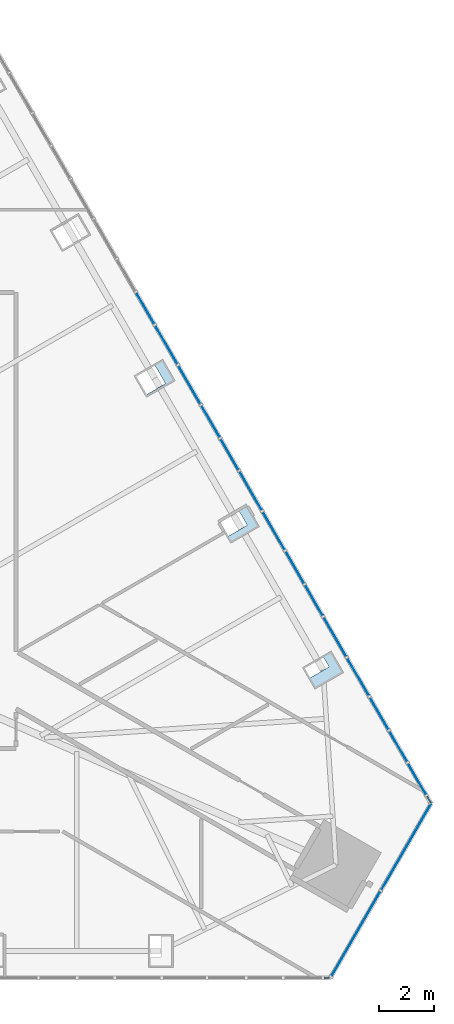
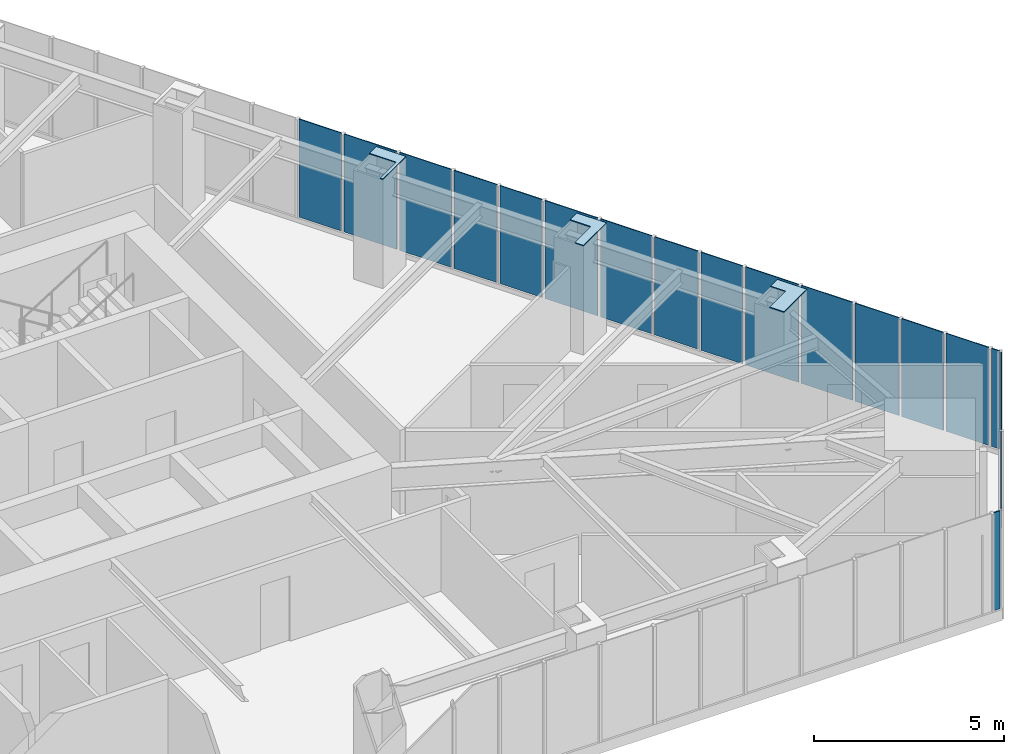
# One storey, part 12 of 20: 21 plates, 3 elements without a shape of their own.
"""IFC4 building model written with IfcOpenShell, lengths in metres."""

from ifc_helpers import new_model, si_unit, direction, frame, origin, place, context, subcontext, project, spatial, polyline, outline, extrude, material, layer, layer_set, type_object, element, aggregate, save


model = new_model("IFC4")

# Units and contexts
model_context = context("Model", 3, precision=1e-05, world=origin(), true_north=direction((0.0, 1.0)))
body_context = subcontext(model_context, "Body", "Model", "MODEL_VIEW")
ifc_project = project(units=[si_unit("LENGTHUNIT", "METRE"), si_unit("AREAUNIT", "SQUARE_METRE"), si_unit("VOLUMEUNIT", "CUBIC_METRE"), si_unit("PLANEANGLEUNIT", "RADIAN"), si_unit("MASSUNIT", "GRAM", prefix="KILO")], contexts=[model_context])

# Site, building, storey
site_placement = place(None, origin())
site = spatial("IfcSite", under=ifc_project, at=site_placement, CompositionType="ELEMENT")
building_placement = place(site_placement, origin())
building = spatial("IfcBuilding", under=site, at=building_placement, Name="Firuza Gate Tower and Library", CompositionType="ELEMENT")
storey_placement = place(building_placement, frame((0.0, 0.0, 305.60009765625)))
storey = spatial("IfcBuildingStorey", under=building, at=storey_placement, Name="L74", CompositionType="ELEMENT", Elevation=305.60009765625)

# Plates
ifc_material_1 = material(Name="Steel S355", Category="steel")
ifc_layer_1 = layer(ifc_material_1, 0.030029296875)
ifc_layer_set_1 = layer_set([ifc_layer_1], Name="Column infill plate 30 Steel S355")
plate_type_1 = type_object("IfcPlateType", Name="Column infill plate 30 Steel S355", PredefinedType="SHEET", material=ifc_layer_set_1)
placement_1 = place(storey_placement, frame((0.0, 0.0, 3.5)))
element("IfcPlate", 1, at=placement_1, inside=storey, type_object=plate_type_1, Name="Infill plate L74:E1", PredefinedType="SHEET", context=body_context, shape_type="SweptSolid", body=[
    extrude(outline(polyline([(96.403076171875, 70.279052734375), (96.09521484375, 70.101318359375), (96.3251953125, 69.702880859375), (95.593994140625, 69.28076171875), (95.81396484375, 68.899658203125), (96.853271484375, 69.499755859375), (96.403076171875, 70.279052734375)])), origin(), (0.0, 0.0, 1.0), 0.02978515625),
])
element("IfcPlate", 2, at=placement_1, inside=storey, type_object=plate_type_1, Name="Infill plate L74:E2", PredefinedType="SHEET", context=body_context, shape_type="SweptSolid", body=[
    extrude(outline(polyline([(93.355224609375, 75.558349609375), (93.047119140625, 75.380615234375), (93.365234375, 74.829833984375), (92.634033203125, 74.40771484375), (92.765869140625, 74.178955078125), (93.80517578125, 74.779052734375), (93.355224609375, 75.558349609375)])), origin(), (0.0, 0.0, 1.0), 0.02978515625),
])
element("IfcPlate", 3, at=placement_1, inside=storey, type_object=plate_type_1, Name="Infill plate L74:E3", PredefinedType="SHEET", context=body_context, shape_type="SweptSolid", body=[
    extrude(outline(polyline([(90.30712890625, 80.837646484375), (89.999267578125, 80.659912109375), (90.4052734375, 79.95654296875), (89.674072265625, 79.534423828125), (89.718017578125, 79.458251953125), (90.757080078125, 80.058349609375), (90.30712890625, 80.837646484375)])), origin(), (0.0, 0.0, 1.0), 0.02978515625),
])

# Curtain wall, plates
ifc_material_2 = material(Name="Aluminium 6063-T6", Category="aluminium")
ifc_layer_2 = layer(ifc_material_2, 0.14990234375)
ifc_layer_set_2 = layer_set([ifc_layer_2], Name="Corner curtain wall, chamfers")
curtain_wall_type_1 = type_object("IfcCurtainWallType", Name="Corner curtain wall, chamfers", PredefinedType="NOTDEFINED", material=ifc_layer_set_2)
placement_2 = place(storey_placement, origin())
curtain_wall_1 = element("IfcCurtainWall", 4, at=placement_2, inside=storey, type_object=curtain_wall_type_1, Name="CW4 L74 SE corner", PredefinedType="NOTDEFINED")
ifc_material_3 = material(Name="Fritted glass", Category="glass")
ifc_layer_3 = layer(ifc_material_3, 0.030029296875)
ifc_layer_set_3 = layer_set([ifc_layer_3], Name="Fritted glass unit, corners")
plate_type_2 = type_object("IfcPlateType", Name="Fritted glass unit, corners", PredefinedType="CURTAIN_PANEL", material=ifc_layer_set_3)
plate_4_placement = place(storey_placement, frame((96.412353515625, 58.476806640625, 0.14990234375), z_axis=(0.866046390552, -0.49996364809, 0.0), x_axis=(0.49996364809, 0.866046390552, 0.0)))
plate_4 = element("IfcPlate", 5, at=plate_4_placement, type_object=plate_type_2, Name="Glass unit", PredefinedType="CURTAIN_PANEL", context=body_context, shape_type="SweptSolid", body=[
    extrude(outline(polyline([(0.0, 0.0), (3.563247342942594, 0.0), (3.563247342942594, 3.14990234375), (0.0, 3.14990234375), (0.0, 0.0)])), origin(), (0.0, 0.0, -1.0), 0.030029296875),
])
plate_5_placement = place(storey_placement, frame((98.23388671875, 61.632080078125, 0.14990234375), z_axis=(0.866016723041, -0.500015035186, 0.0), x_axis=(0.500015035186, 0.866016723041, 0.0)))
plate_5 = element("IfcPlate", 6, at=plate_5_placement, type_object=plate_type_2, Name="Glass unit", PredefinedType="CURTAIN_PANEL", context=body_context, shape_type="SweptSolid", body=[
    extrude(outline(polyline([(0.0, 0.0), (3.5633694106530625, 0.0), (3.5633694106530625, 3.14990234375), (0.0, 3.14990234375), (0.0, 0.0)])), origin(), (0.0, 0.0, -1.0), 0.030029296875),
])
aggregate(curtain_wall_1, [plate_4, plate_5])

ifc_material_4 = material(Name="Aluminium 6063-T6", Category="aluminium")
ifc_layer_4 = layer(ifc_material_4, 0.14990234375)
ifc_layer_set_4 = layer_set([ifc_layer_4], Name="Unitised curtain wall, residences")
curtain_wall_type_2 = type_object("IfcCurtainWallType", Name="Unitised curtain wall, residences", PredefinedType="NOTDEFINED", material=ifc_layer_set_4)
curtain_wall_2 = element("IfcCurtainWall", 7, at=placement_2, inside=storey, type_object=curtain_wall_type_2, Name="CW3 L74 E face", PredefinedType="NOTDEFINED")
ifc_material_5 = material(Name="Fritted glass", Category="glass")
ifc_layer_5 = layer(ifc_material_5, 0.030029296875)
ifc_layer_set_5 = layer_set([ifc_layer_5], Name="Fritted glass unit, residences")
plate_type_3 = type_object("IfcPlateType", Name="Fritted glass unit, residences", PredefinedType="CURTAIN_PANEL", material=ifc_layer_set_5)
plate_6_placement = place(storey_placement, frame((99.85009765625, 65.089111328125, 0.14990234375), z_axis=(0.865995042048, 0.500052584384, 0.0), x_axis=(-0.500052584384, 0.865995042048, 0.0)))
plate_6 = element("IfcPlate", 8, at=plate_6_placement, type_object=plate_type_3, Name="Glass unit", PredefinedType="CURTAIN_PANEL", context=body_context, shape_type="SweptSolid", body=[
    extrude(outline(polyline([(0.0, 0.0), (1.3016209226321132, 0.0), (1.3016209226321132, 3.14990234375), (0.0, 3.14990234375), (0.0, 0.0)])), origin(), (0.0, 0.0, -1.0), 0.030029296875),
])
plate_7_placement = place(storey_placement, frame((97.780517578125, 68.67333984375, 0.14990234375), z_axis=(0.866065581584, 0.499930403552, 0.0), x_axis=(-0.499930403552, 0.866065581584, 0.0)))
plate_7 = element("IfcPlate", 9, at=plate_7_placement, type_object=plate_type_3, Name="Glass unit", PredefinedType="CURTAIN_PANEL", context=body_context, shape_type="SweptSolid", body=[
    extrude(outline(polyline([(0.0, 0.0), (1.5583223761549003, 0.0), (1.5583223761549003, 3.14990234375), (0.0, 3.14990234375), (0.0, 0.0)])), origin(), (0.0, 0.0, -1.0), 0.030029296875),
])
plate_8_placement = place(storey_placement, frame((96.96142578125, 70.09228515625, 0.14990234375), z_axis=(0.866065156741, 0.499931139538, 0.0), x_axis=(-0.499931139538, 0.866065156741, 0.0)))
plate_8 = element("IfcPlate", 10, at=plate_8_placement, type_object=plate_type_3, Name="Glass unit", PredefinedType="CURTAIN_PANEL", context=body_context, shape_type="SweptSolid", body=[
    extrude(outline(polyline([(0.0, 0.0), (1.6203403422686624, 0.0), (1.6203403422686624, 3.14990234375), (0.0, 3.14990234375), (0.0, 0.0)])), origin(), (0.0, 0.0, -1.0), 0.030029296875),
])
plate_9_placement = place(storey_placement, frame((94.732666015625, 73.95263671875, 0.14990234375), z_axis=(0.866025114386, 0.500000501253, 0.0), x_axis=(-0.500000501253, 0.866025114386, 0.0)))
plate_9 = element("IfcPlate", 11, at=plate_9_placement, type_object=plate_type_3, Name="Glass unit", PredefinedType="CURTAIN_PANEL", context=body_context, shape_type="SweptSolid", body=[
    extrude(outline(polyline([(0.0, 0.0), (1.5707992065156178, 0.0), (1.5707992065156178, 3.14990234375), (0.0, 3.14990234375), (0.0, 0.0)])), origin(), (0.0, 0.0, -1.0), 0.030029296875),
])
plate_10_placement = place(storey_placement, frame((93.9072265625, 75.38232421875, 0.14990234375), z_axis=(0.866000981109, 0.500042298929, 0.0), x_axis=(-0.500042298929, 0.866000981109, 0.0)))
plate_10 = element("IfcPlate", 12, at=plate_10_placement, type_object=plate_type_3, Name="Glass unit", PredefinedType="CURTAIN_PANEL", context=body_context, shape_type="SweptSolid", body=[
    extrude(outline(polyline([(0.0, 0.0), (1.607774142001462, 0.0), (1.607774142001462, 3.14990234375), (0.0, 3.14990234375), (0.0, 0.0)])), origin(), (0.0, 0.0, -1.0), 0.030029296875),
])
plate_11_placement = place(storey_placement, frame((91.6845703125, 79.23193359375, 0.14990234375), z_axis=(0.866052053466, 0.499953838557, 0.0), x_axis=(-0.499953838557, 0.866052053466, 0.0)))
plate_11 = element("IfcPlate", 13, at=plate_11_placement, type_object=plate_type_3, Name="Glass unit", PredefinedType="CURTAIN_PANEL", context=body_context, shape_type="SweptSolid", body=[
    extrude(outline(polyline([(0.0, 0.0), (1.5831539738440075, 0.0), (1.5831539738440075, 3.149902343750001), (0.0, 3.149902343750001), (0.0, 0.0)])), origin(), (0.0, 0.0, -1.0), 0.030029296875),
])
plate_12_placement = place(storey_placement, frame((90.85302734375, 80.67236328125, 0.14990234375), z_axis=(0.865974057503, 0.500088923824, 0.0), x_axis=(-0.500088923824, 0.865974057503, 0.0)))
plate_12 = element("IfcPlate", 14, at=plate_12_placement, type_object=plate_type_3, Name="Glass unit", PredefinedType="CURTAIN_PANEL", context=body_context, shape_type="SweptSolid", body=[
    extrude(outline(polyline([(0.0, 0.0), (1.5954193834149009, 0.0), (1.5954193834149009, 3.14990234375), (0.0, 3.14990234375), (0.0, 0.0)])), origin(), (0.0, 0.0, -1.0), 0.030029296875),
])

# Curtain wall, plate
curtain_wall_3 = element("IfcCurtainWall", 15, at=placement_2, inside=storey, type_object=curtain_wall_type_2, Name="CW3 L74 S face", PredefinedType="NOTDEFINED")
ifc_material_6 = material(Name="Glazed ceramic tile")
ifc_layer_6 = layer(ifc_material_6, 0.030029296875)
ifc_layer_set_6 = layer_set([ifc_layer_6], Name="Opaque ceramic panel, residences")
plate_type_4 = type_object("IfcPlateType", Name="Opaque ceramic panel, residences", PredefinedType="CURTAIN_PANEL", material=ifc_layer_set_6)
plate_13_placement = place(storey_placement, frame((96.1533203125, 58.434814453125, 0.14990234375), z_axis=(0.0, -1.0, 0.0), x_axis=(1.0, 0.0, 0.0)))
plate_13 = element("IfcPlate", 16, at=plate_13_placement, type_object=plate_type_4, Name="Opaque ceramic panel", PredefinedType="CURTAIN_PANEL", context=body_context, shape_type="SweptSolid", body=[
    extrude(outline(polyline([(0.0, 0.0), (0.18603515625, 0.0), (0.18603515625, 3.14990234375), (0.0, 3.14990234375), (0.0, 0.0)])), origin(), (0.0, 0.0, -1.0), 0.030029296875),
])
aggregate(curtain_wall_3, [plate_13])

# Plate
plate_14_placement = place(storey_placement, frame((100.015625, 64.80224609375, 0.14990234375), z_axis=(0.865780878536, 0.500423291185, 0.0), x_axis=(-0.500423291185, 0.865780878536, 0.0)))
plate_14 = element("IfcPlate", 17, at=plate_14_placement, type_object=plate_type_4, Name="Opaque ceramic panel", PredefinedType="CURTAIN_PANEL", context=body_context, shape_type="SweptSolid", body=[
    extrude(outline(polyline([(0.0, 0.0), (0.2512521381192305, 0.0), (0.2512521381192305, 3.14990234375), (0.0, 3.14990234375), (0.0, 0.0)])), origin(), (0.0, 0.0, -1.0), 0.030029296875),
])

plate_15_placement = place(storey_placement, frame((99.1591796875, 66.285400390625, 0.14990234375), z_axis=(0.86607923909, 0.499906742921, 0.0), x_axis=(-0.499906742921, 0.86607923909, 0.0)))
plate_15 = element("IfcPlate", 18, at=plate_15_placement, type_object=plate_type_4, Name="Opaque ceramic panel", PredefinedType="CURTAIN_PANEL", context=body_context, shape_type="SweptSolid", body=[
    extrude(outline(polyline([(0.0, 0.0), (1.2614657499734259, 0.0), (1.2614657499734259, 3.14990234375), (0.0, 3.14990234375), (0.0, 0.0)])), origin(), (0.0, 0.0, -1.0), 0.030029296875),
])

plate_16_placement = place(storey_placement, frame((98.488525390625, 67.447265625, 0.14990234375), z_axis=(0.865984687501, 0.500070516041, 0.0), x_axis=(-0.500070516041, 0.865984687501, 0.0)))
plate_16 = element("IfcPlate", 19, at=plate_16_placement, type_object=plate_type_4, Name="Opaque ceramic panel", PredefinedType="CURTAIN_PANEL", context=body_context, shape_type="SweptSolid", body=[
    extrude(outline(polyline([(0.0, 0.0), (1.335749116520676, 0.0), (1.335749116520676, 3.14990234375), (0.0, 3.14990234375), (0.0, 0.0)])), origin(), (0.0, 0.0, -1.0), 0.030029296875),
])

plate_17_placement = place(storey_placement, frame((96.111328125, 71.564697265625, 0.14990234375), z_axis=(0.866029209911, 0.499993407537, 0.0), x_axis=(-0.499993407537, 0.866029209911, 0.0)))
plate_17 = element("IfcPlate", 20, at=plate_17_placement, type_object=plate_type_4, Name="Opaque ceramic panel", PredefinedType="CURTAIN_PANEL", context=body_context, shape_type="SweptSolid", body=[
    extrude(outline(polyline([(0.0, 0.0), (1.2739425780891271, 0.0), (1.2739425780891271, 3.149902343750001), (0.0, 3.149902343750001), (0.0, 0.0)])), origin(), (0.0, 0.0, -1.0), 0.030029296875),
])

plate_18_placement = place(storey_placement, frame((95.434326171875, 72.7373046875, 0.14990234375), z_axis=(0.866031967744, 0.499988630717, 0.0), x_axis=(-0.499988630717, 0.866031967744, 0.0)))
plate_18 = element("IfcPlate", 21, at=plate_18_placement, type_object=plate_type_4, Name="Opaque ceramic panel", PredefinedType="CURTAIN_PANEL", context=body_context, shape_type="SweptSolid", body=[
    extrude(outline(polyline([(0.0, 0.0), (1.3232722768142637, 0.0), (1.3232722768142637, 3.14990234375), (0.0, 3.14990234375), (0.0, 0.0)])), origin(), (0.0, 0.0, -1.0), 0.030029296875),
])

plate_19_placement = place(storey_placement, frame((93.063232421875, 76.843994140625, 0.14990234375), z_axis=(0.866062325935, 0.499936043505, 0.0), x_axis=(-0.499936043505, 0.866062325935, 0.0)))
plate_19 = element("IfcPlate", 22, at=plate_19_placement, type_object=plate_type_4, Name="Opaque ceramic panel", PredefinedType="CURTAIN_PANEL", context=body_context, shape_type="SweptSolid", body=[
    extrude(outline(polyline([(0.0, 0.0), (1.286297346639458, 0.0), (1.286297346639458, 3.14990234375), (0.0, 3.14990234375), (0.0, 0.0)])), origin(), (0.0, 0.0, -1.0), 0.030029296875),
])

plate_20_placement = place(storey_placement, frame((92.380126953125, 78.02734375, 0.14990234375), z_axis=(0.865999496279, 0.500044870432, 0.0), x_axis=(-0.500044870432, 0.865999496279, 0.0)))
plate_20 = element("IfcPlate", 23, at=plate_20_placement, type_object=plate_type_4, Name="Opaque ceramic panel", PredefinedType="CURTAIN_PANEL", context=body_context, shape_type="SweptSolid", body=[
    extrude(outline(polyline([(0.0, 0.0), (1.3109175133801323, 0.0), (1.3109175133801323, 3.14990234375), (0.0, 3.14990234375), (0.0, 0.0)])), origin(), (0.0, 0.0, -1.0), 0.030029296875),
])

plate_21_placement = place(storey_placement, frame((90.01513671875, 82.123291015625, 0.14990234375), z_axis=(0.866094808166, 0.499879768812, 0.0), x_axis=(-0.499879768812, 0.866094808166, 0.0)))
plate_21 = element("IfcPlate", 24, at=plate_21_placement, type_object=plate_type_4, Name="Opaque ceramic panel", PredefinedType="CURTAIN_PANEL", context=body_context, shape_type="SweptSolid", body=[
    extrude(outline(polyline([(0.0, 0.0), (1.2986521207257886, 0.0), (1.2986521207257886, 3.149902343749999), (0.0, 3.149902343749999), (0.0, 0.0)])), origin(), (0.0, 0.0, -1.0), 0.030029296875),
])

aggregate(curtain_wall_2, [plate_14, plate_6, plate_15, plate_16, plate_7, plate_8, plate_17, plate_18, plate_9, plate_10, plate_19, plate_20, plate_11, plate_12, plate_21])

save(model, "model.ifc")
